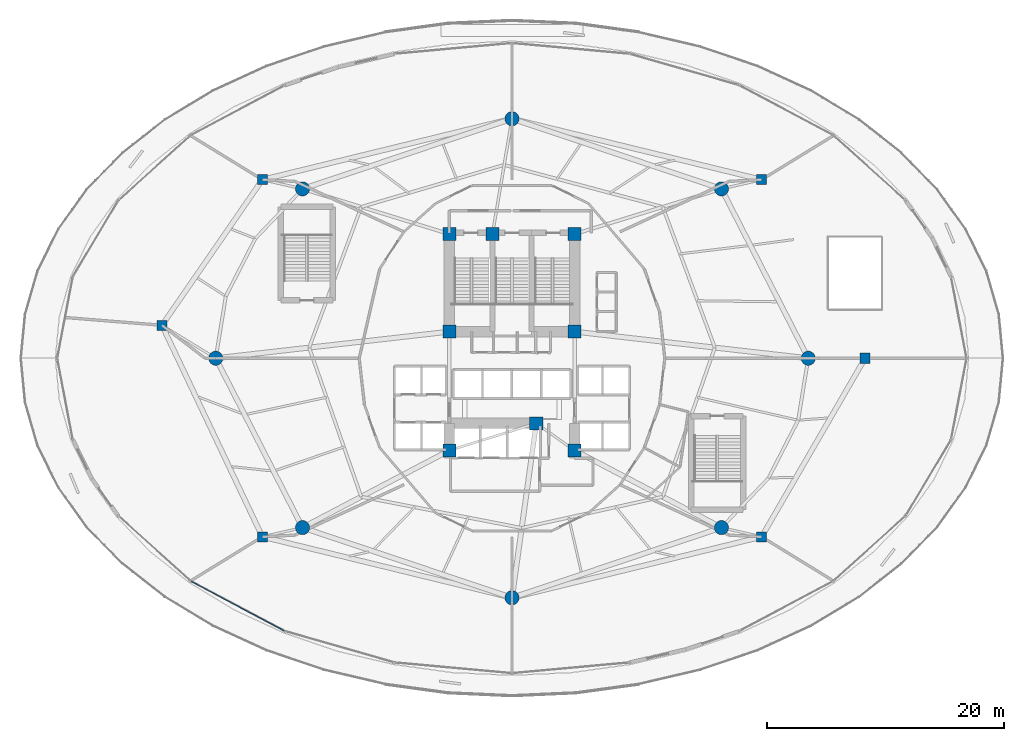
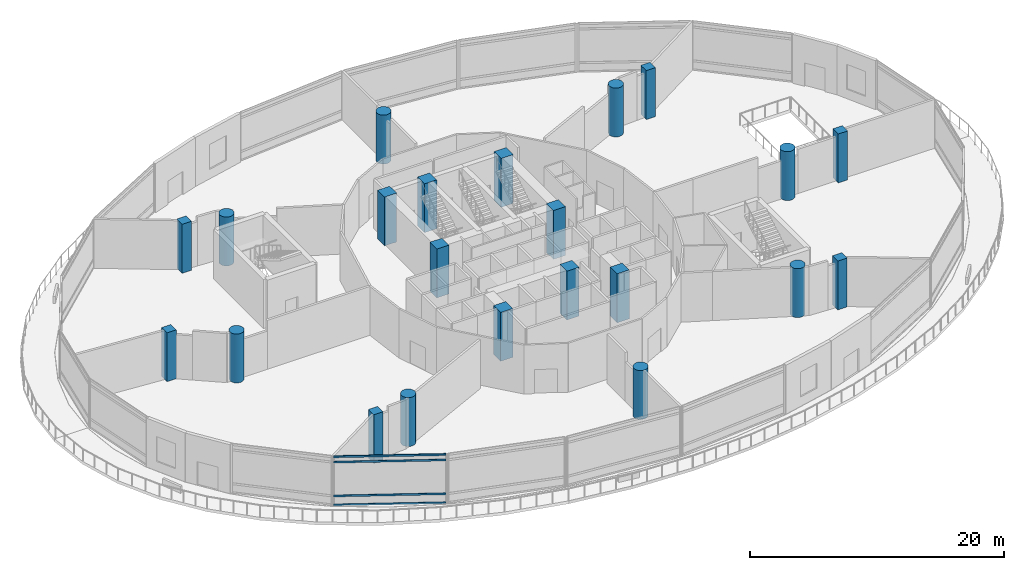
# One storey, part 1 of 37: 22 columns, 4 members, 1 element without a shape of its own.
"""IFC4 building model written with IfcOpenShell, lengths in metres."""

from ifc_helpers import new_model, si_unit, direction, frame, origin, origin_2d, place, context, subcontext, project, spatial, rectangle, hollow_rectangle, circle, extrude, material, layer, layer_set, material_profile, profile_set, type_object, element, aggregate, save


model = new_model("IFC4")

# Units and contexts
model_context = context("Model", 3, precision=1e-05, world=origin(), true_north=direction((0.0, 1.0)))
body_context = subcontext(model_context, "Body", "Model", "MODEL_VIEW")
ifc_project = project(units=[si_unit("LENGTHUNIT", "METRE"), si_unit("AREAUNIT", "SQUARE_METRE"), si_unit("VOLUMEUNIT", "CUBIC_METRE"), si_unit("PLANEANGLEUNIT", "RADIAN"), si_unit("MASSUNIT", "GRAM", prefix="KILO")], contexts=[model_context])

# Site, building, storey
site_placement = place(None, origin())
site = spatial("IfcSite", under=ifc_project, at=site_placement, CompositionType="ELEMENT")
building_placement = place(site_placement, origin())
building = spatial("IfcBuilding", under=site, at=building_placement, Name="Nuhasar Tower", CompositionType="ELEMENT")
storey_placement = place(building_placement, frame((0.0, 0.0, 6.0)))
storey = spatial("IfcBuildingStorey", under=building, at=storey_placement, Name="L01", CompositionType="ELEMENT", Elevation=6.0)

# Columns
ifc_material_1 = material(Name="Concrete C80/95", Category="concrete")
ifc_material_profile_1 = material_profile(ifc_material_1, circle(Radius=0.60009765625, at=origin_2d()), Name="CFT1200")
ifc_profile_set_1 = profile_set([ifc_material_profile_1], Name="Concrete C80/95")
column_type_1 = type_object("IfcColumnType", Name="COL-CFT-1200", PredefinedType="COLUMN", material=ifc_profile_set_1)
for number, where, z_axis, x_axis, name in (
    (1, (64.050048828125, 26.800048828125, 0.0), (0.0, 0.0, 1.0), (1.0, 0.0, 0.0), "L01 Perimeter Composite Column TC-01"),
    (2, (56.712890625, 41.118896484375, 0.0), (0.0, 0.0, 1.0), (1.0, 0.0, 0.0), "L01 Perimeter Composite Column TC-04"),
    (3, (39.0, 47.050048828125, 0.0), (0.0, 0.0, 1.0), (1.0, 0.0, 0.0), "L01 Perimeter Composite Column TC-07"),
    (4, (21.287109375, 41.118896484375, 0.0), (0.0, 0.0, 1.0), (1.0, 0.0, 0.0), "L01 Perimeter Composite Column TC-10"),
    (5, (13.949951171875, 26.800048828125, 0.0), (0.0, 0.0, 1.0), (1.0, 0.0, 0.0), "L01 Perimeter Composite Column TC-13"),
    (6, (21.287109375, 12.48095703125, 0.0), (0.0, 0.0, 1.0), (1.0, 0.0, 0.0), "L01 Perimeter Composite Column TC-16"),
    (7, (39.0, 6.550048828125, 0.0), (0.0, 0.0, 1.0), (1.0, 0.0, 0.0), "L01 Perimeter Composite Column TC-19"),
    (8, (56.712890625, 12.48095703125, 0.0), (0.0, 0.0, 1.0), (1.0, 0.0, 0.0), "L01 Perimeter Composite Column TC-22"),
):
    element("IfcColumn", number, at=place(storey_placement, frame(where, z_axis=z_axis, x_axis=x_axis)), inside=storey, type_object=column_type_1, Name=name, PredefinedType="COLUMN", context=body_context, shape_type="SweptSolid", body=[
        extrude(circle(Radius=0.60009765625, at=origin_2d()), origin(), (0.0, 0.0, 1.0), 4.699951171875),
    ])
ifc_material_2 = material(Name="Concrete C50/60", Category="concrete")
ifc_material_profile_2 = material_profile(ifc_material_2, rectangle(XDim=0.85009765625, YDim=0.85009765625, at=origin_2d()), Name="RC850X850")
ifc_profile_set_2 = profile_set([ifc_material_profile_2], Name="Concrete C50/60")
column_type_2 = type_object("IfcColumnType", Name="COL-POD-850", PredefinedType="COLUMN", material=ifc_profile_set_2)
for number, where, z_axis, x_axis, name in (
    (9, (68.85009765625, 26.800048828125, 0.0), (0.0, 0.0, 1.0), (1.0, 0.0, 0.0), "L01 Podium Perimeter Column PC-01"),
    (10, (60.10693359375, 41.89697265625, 0.0), (0.0, 0.0, 1.0), (1.0, 0.0, 0.0), "L01 Podium Perimeter Column PC-02"),
    (11, (17.89306640625, 41.89697265625, 0.0), (0.0, 0.0, 1.0), (1.0, 0.0, 0.0), "L01 Podium Perimeter Column PC-03"),
    (12, (9.405029296875, 29.5869140625, 0.0), (0.0, 0.0, 1.0), (1.0, 0.0, 0.0), "L01 Podium Perimeter Column PC-04"),
    (13, (17.89306640625, 11.702880859375, 0.0), (0.0, 0.0, 1.0), (1.0, 0.0, 0.0), "L01 Podium Perimeter Column PC-05"),
    (14, (60.10693359375, 11.702880859375, 0.0), (0.0, 0.0, 1.0), (1.0, 0.0, 0.0), "L01 Podium Perimeter Column PC-06"),
):
    element("IfcColumn", number, at=place(storey_placement, frame(where, z_axis=z_axis, x_axis=x_axis)), inside=storey, type_object=column_type_2, Name=name, PredefinedType="COLUMN", context=body_context, shape_type="SweptSolid", body=[
        extrude(rectangle(XDim=0.85009765625, YDim=0.85009765625, at=origin_2d()), origin(), (0.0, 0.0, 1.0), 4.699951171875),
    ])
ifc_material_profile_3 = material_profile(ifc_material_1, rectangle(XDim=1.10009765625, YDim=1.10009765625, at=origin_2d()), Name="RC1100X1100")
ifc_profile_set_3 = profile_set([ifc_material_profile_3], Name="Concrete C80/95")
column_type_3 = type_object("IfcColumnType", Name="PIL-RC-1100", PredefinedType="PILASTER", material=ifc_profile_set_3)
for number, where, z_axis, x_axis, name in (
    (15, (33.699951171875, 19.0, 0.0), (0.0, 0.0, 1.0), (1.0, 0.0, 0.0), "L01 Core Boundary Pilaster CC-01"),
    (16, (41.050048828125, 21.300048828125, 0.0), (0.0, 0.0, 1.0), (1.0, 0.0, 0.0), "L01 Core Boundary Pilaster CC-02"),
    (17, (44.300048828125, 19.0, 0.0), (0.0, 0.0, 1.0), (1.0, 0.0, 0.0), "L01 Core Boundary Pilaster CC-03"),
    (18, (44.300048828125, 29.050048828125, 0.0), (0.0, 0.0, 1.0), (1.0, 0.0, 0.0), "L01 Core Boundary Pilaster CC-04"),
    (19, (44.300048828125, 37.300048828125, 0.0), (0.0, 0.0, 1.0), (1.0, 0.0, 0.0), "L01 Core Boundary Pilaster CC-05"),
    (20, (37.35009765625, 37.300048828125, 0.0), (0.0, 0.0, 1.0), (1.0, 0.0, 0.0), "L01 Core Boundary Pilaster CC-06"),
    (21, (33.699951171875, 37.300048828125, 0.0), (0.0, 0.0, 1.0), (1.0, 0.0, 0.0), "L01 Core Boundary Pilaster CC-07"),
    (22, (33.699951171875, 29.050048828125, 0.0), (0.0, 0.0, 1.0), (1.0, 0.0, 0.0), "L01 Core Boundary Pilaster CC-08"),
):
    element("IfcColumn", number, at=place(storey_placement, frame(where, z_axis=z_axis, x_axis=x_axis)), inside=storey, type_object=column_type_3, Name=name, PredefinedType="PILASTER", context=body_context, shape_type="SweptSolid", body=[
        extrude(rectangle(XDim=1.10009765625, YDim=1.10009765625, at=origin_2d()), origin(), (0.0, 0.0, 1.0), 4.699951171875),
    ])

# Curtain wall, members
ifc_material_3 = material(Name="Aluminium 6063-T6", Category="aluminium")
ifc_layer = layer(ifc_material_3, 0.219970703125)
ifc_layer_set = layer_set([ifc_layer], Name="Aluminium 6063-T6")
curtain_wall_type = type_object("IfcCurtainWallType", Name="CW-PODIUM", PredefinedType="NOTDEFINED", material=ifc_layer_set)
curtain_wall_placement = place(storey_placement, origin())
curtain_wall = element("IfcCurtainWall", 23, at=curtain_wall_placement, inside=storey, type_object=curtain_wall_type, Name="L01 Podium Curtain Wall Bay 16", PredefinedType="NOTDEFINED")
ifc_material_profile_4 = material_profile(ifc_material_3, hollow_rectangle(XDim=0.074951171875, YDim=0.179931640625, WallThickness=0.00439453125, at=origin_2d()), Name="CWT-1")
ifc_profile_set_4 = profile_set([ifc_material_profile_4], Name="Aluminium 6063-T6")
member_type = type_object("IfcMemberType", Name="CW-TRN-S1", PredefinedType="USERDEFINED", material=ifc_profile_set_4)
member_1_placement = place(storey_placement, frame((11.88525390625, 7.927734375, 0.03759765625), z_axis=(0.882899591214, -0.469561829619, 0.0), x_axis=(0.469561829619, 0.882899591214, 0.0)))
member_1 = element("IfcMember", 24, at=member_1_placement, type_object=member_type, Name="CW-P1 transom 1.1", ObjectType="TRANSOM", PredefinedType="USERDEFINED", context=body_context, shape_type="SweptSolid", body=[
    extrude(hollow_rectangle(XDim=0.074951171875, YDim=0.179931640625, WallThickness=0.00439453125, at=origin_2d()), origin(), (0.0, 0.0, 1.0), 8.866943359375),
])
member_2_placement = place(storey_placement, frame((11.88525390625, 7.927734375, 0.89990234375), z_axis=(0.882899591214, -0.469561829619, 0.0), x_axis=(0.469561829619, 0.882899591214, 0.0)))
member_2 = element("IfcMember", 25, at=member_2_placement, type_object=member_type, Name="CW-P1 transom 1.2", ObjectType="TRANSOM", PredefinedType="USERDEFINED", context=body_context, shape_type="SweptSolid", body=[
    extrude(hollow_rectangle(XDim=0.074951171875, YDim=0.179931640625, WallThickness=0.00439453125, at=origin_2d()), origin(), (0.0, 0.0, 1.0), 8.866943359375),
])
member_3_placement = place(storey_placement, frame((11.88525390625, 7.927734375, 4.14990234375), z_axis=(0.882899591214, -0.469561829619, 0.0), x_axis=(0.469561829619, 0.882899591214, 0.0)))
member_3 = element("IfcMember", 26, at=member_3_placement, type_object=member_type, Name="CW-P1 transom 1.3", ObjectType="TRANSOM", PredefinedType="USERDEFINED", context=body_context, shape_type="SweptSolid", body=[
    extrude(hollow_rectangle(XDim=0.074951171875, YDim=0.179931640625, WallThickness=0.00439453125, at=origin_2d()), origin(), (0.0, 0.0, 1.0), 8.866943359375),
])
member_4_placement = place(storey_placement, frame((11.88525390625, 7.927734375, 4.66259765625), z_axis=(0.882899591214, -0.469561829619, 0.0), x_axis=(0.469561829619, 0.882899591214, 0.0)))
member_4 = element("IfcMember", 27, at=member_4_placement, type_object=member_type, Name="CW-P1 transom 1.4", ObjectType="TRANSOM", PredefinedType="USERDEFINED", context=body_context, shape_type="SweptSolid", body=[
    extrude(hollow_rectangle(XDim=0.074951171875, YDim=0.179931640625, WallThickness=0.00439453125, at=origin_2d()), origin(), (0.0, 0.0, 1.0), 8.866943359375),
])
aggregate(curtain_wall, [member_1, member_2, member_3, member_4])

save(model, "model.ifc")
